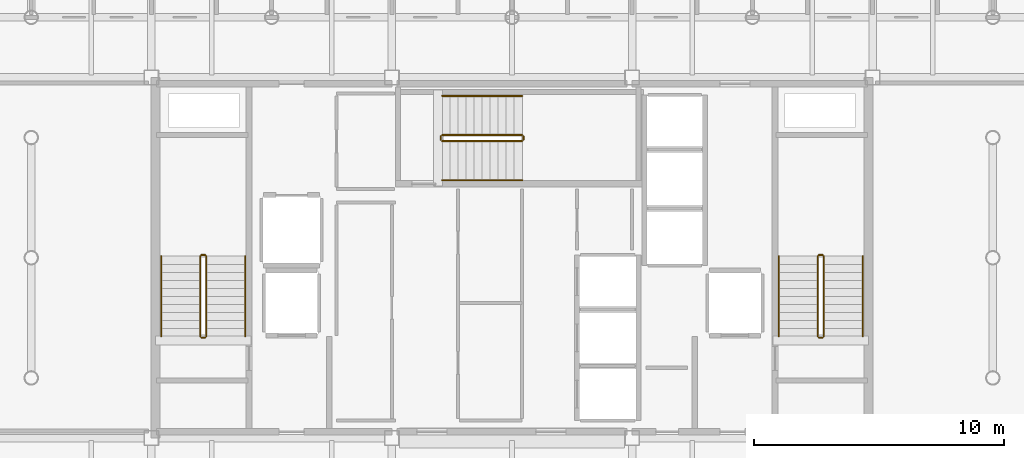
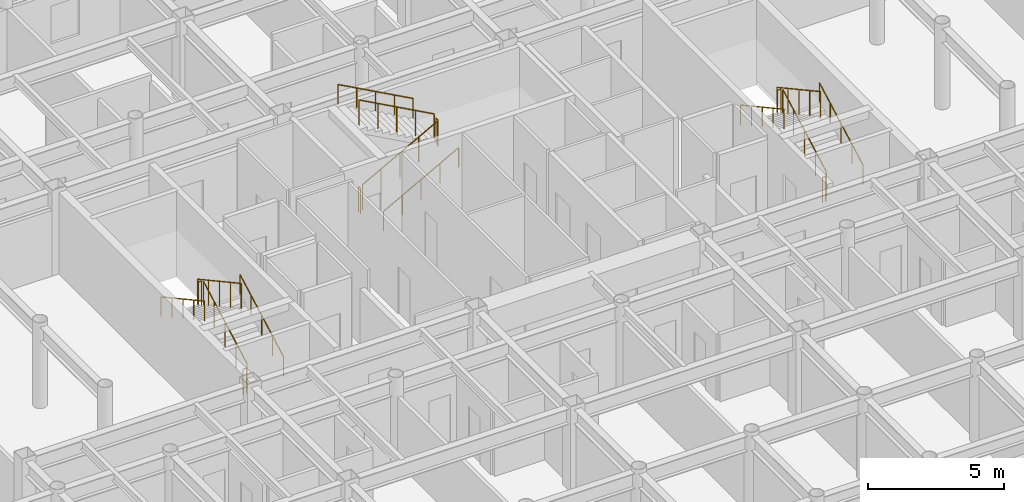
# One storey, part 22 of 23: 18 railings.
"""IFC4 building model written with IfcOpenShell, lengths in metres."""

from ifc_helpers import new_model, si_unit, direction, frame, origin, origin_2d, place, context, subcontext, project, spatial, circle, extrude, material, layer, layer_set, type_object, element, save


model = new_model("IFC4")

# Units and contexts
model_context = context("Model", 3, precision=1e-05, world=origin(), true_north=direction((0.0, 1.0)))
body_context = subcontext(model_context, "Body", "Model", "MODEL_VIEW")
ifc_project = project(units=[si_unit("LENGTHUNIT", "METRE"), si_unit("AREAUNIT", "SQUARE_METRE"), si_unit("VOLUMEUNIT", "CUBIC_METRE"), si_unit("PLANEANGLEUNIT", "RADIAN"), si_unit("MASSUNIT", "GRAM", prefix="KILO")], contexts=[model_context])

# Site, building, storey
site_placement = place(None, origin())
site = spatial("IfcSite", under=ifc_project, at=site_placement, CompositionType="ELEMENT")
building_placement = place(site_placement, origin())
building = spatial("IfcBuilding", under=site, at=building_placement, Name="Kallvorn Hotel Tower", CompositionType="ELEMENT")
storey_placement = place(building_placement, frame((0.0, 0.0, 195.35009765625)))
storey = spatial("IfcBuildingStorey", under=building, at=storey_placement, Name="L48", CompositionType="ELEMENT", Elevation=195.35009765625)

# Railings
ifc_material_1 = material(Name="Brushed stainless-steel tubular railing", Category="steel")
ifc_layer_1 = layer(ifc_material_1, 0.050048828125)
ifc_layer_set_1 = layer_set([ifc_layer_1], Name="RL_STAIR_GUARD")
railing_type_1 = type_object("IfcRailingType", Name="RL_STAIR_GUARD", PredefinedType="GUARDRAIL", material=ifc_layer_set_1)
railing_1_placement = place(storey_placement, frame((-12.2099609375, -3.139892578125, 0.1748046875)))
element("IfcRailing", 1, at=railing_1_placement, inside=storey, type_object=railing_type_1, Name="L48 ST1 stair guard 1", PredefinedType="GUARDRAIL", context=body_context, shape_type="SweptSolid", body=[
    extrude(circle(Radius=0.02392578125, at=origin_2d()), frame((0.0, 0.0, 1.1259765625), z_axis=(0.0, 0.877368057402, 0.479817977833), x_axis=(-1.0, 0.0, 0.0)), (0.0, 0.0, 1.0), 3.647216796875),
    extrude(circle(Radius=0.02099609375, at=origin_2d()), origin(), (0.0, 0.0, 1.0), 1.101806640625),
    extrude(circle(Radius=0.02099609375, at=origin_2d()), frame((0.0, 0.800048828125, 0.4375)), (0.0, 0.0, 1.0), 1.101806640625),
    extrude(circle(Radius=0.02099609375, at=origin_2d()), frame((0.0, 1.60009765625, 0.875)), (0.0, 0.0, 1.0), 1.101806640625),
    extrude(circle(Radius=0.02099609375, at=origin_2d()), frame((0.0, 2.39990234375, 1.3125)), (0.0, 0.0, 1.0), 1.101806640625),
    extrude(circle(Radius=0.02099609375, at=origin_2d()), frame((0.0, 3.199951171875, 1.75)), (0.0, 0.0, 1.0), 1.101806640625),
])
railing_2_placement = place(storey_placement, frame((-12.260009765625, 0.110107421875, 1.9248046875)))
element("IfcRailing", 2, at=railing_2_placement, inside=storey, type_object=railing_type_1, Name="L48 ST1 stair guard 2", PredefinedType="GUARDRAIL", context=body_context, shape_type="SweptSolid", body=[
    extrude(circle(Radius=0.02392578125, at=origin_2d()), frame((0.0, 0.0, 1.1259765625), z_axis=(-1.0, 0.0, 0.0), x_axis=(0.0, -1.0, 0.0)), (0.0, 0.0, 1.0), 0.139892578125),
    extrude(circle(Radius=0.02099609375, at=origin_2d()), origin(), (0.0, 0.0, 1.0), 1.101806640625),
    extrude(circle(Radius=0.02099609375, at=origin_2d()), frame((-0.139892578125, 0.0, 0.0)), (0.0, 0.0, 1.0), 1.101806640625),
])
railing_3_placement = place(storey_placement, frame((-12.449951171875, 0.06005859375, 2.099853515625)))
element("IfcRailing", 3, at=railing_3_placement, inside=storey, type_object=railing_type_1, Name="L48 ST1 stair guard 3", PredefinedType="GUARDRAIL", context=body_context, shape_type="SweptSolid", body=[
    extrude(circle(Radius=0.02392578125, at=origin_2d()), frame((0.0, 0.0, 1.1259765625), z_axis=(0.0, -0.877368057402, 0.479817977833), x_axis=(1.0, 0.0, 0.0)), (0.0, 0.0, 1.0), 3.647216796875),
    extrude(circle(Radius=0.02099609375, at=origin_2d()), origin(), (0.0, 0.0, 1.0), 1.101806640625),
    extrude(circle(Radius=0.02099609375, at=origin_2d()), frame((0.0, -0.800048828125, 0.4375)), (0.0, 0.0, 1.0), 1.101806640625),
    extrude(circle(Radius=0.02099609375, at=origin_2d()), frame((0.0, -1.60009765625, 0.875)), (0.0, 0.0, 1.0), 1.101806640625),
    extrude(circle(Radius=0.02099609375, at=origin_2d()), frame((0.0, -2.39990234375, 1.3125)), (0.0, 0.0, 1.0), 1.101806640625),
    extrude(circle(Radius=0.02099609375, at=origin_2d()), frame((0.0, -3.199951171875, 1.75)), (0.0, 0.0, 1.0), 1.101806640625),
])
railing_4_placement = place(storey_placement, frame((-12.260009765625, -3.18994140625, 0.0)))
element("IfcRailing", 4, at=railing_4_placement, inside=storey, type_object=railing_type_1, Name="L48 ST1 stair guard 4", PredefinedType="GUARDRAIL", context=body_context, shape_type="SweptSolid", body=[
    extrude(circle(Radius=0.02392578125, at=origin_2d()), frame((0.0, 0.0, 1.1259765625), z_axis=(-1.0, 0.0, 0.0), x_axis=(0.0, -1.0, 0.0)), (0.0, 0.0, 1.0), 0.139892578125),
    extrude(circle(Radius=0.02099609375, at=origin_2d()), origin(), (0.0, 0.0, 1.0), 1.101806640625),
    extrude(circle(Radius=0.02099609375, at=origin_2d()), frame((-0.139892578125, 0.0, 0.0)), (0.0, 0.0, 1.0), 1.101806640625),
])
railing_5_placement = place(storey_placement, frame((12.449951171875, -3.139892578125, 0.1748046875)))
element("IfcRailing", 5, at=railing_5_placement, inside=storey, type_object=railing_type_1, Name="L48 ST2 stair guard 1", PredefinedType="GUARDRAIL", context=body_context, shape_type="SweptSolid", body=[
    extrude(circle(Radius=0.02392578125, at=origin_2d()), frame((0.0, 0.0, 1.1259765625), z_axis=(0.0, 0.877368057402, 0.479817977833), x_axis=(-1.0, 0.0, 0.0)), (0.0, 0.0, 1.0), 3.647216796875),
    extrude(circle(Radius=0.02099609375, at=origin_2d()), origin(), (0.0, 0.0, 1.0), 1.101806640625),
    extrude(circle(Radius=0.02099609375, at=origin_2d()), frame((0.0, 0.800048828125, 0.4375)), (0.0, 0.0, 1.0), 1.101806640625),
    extrude(circle(Radius=0.02099609375, at=origin_2d()), frame((0.0, 1.60009765625, 0.875)), (0.0, 0.0, 1.0), 1.101806640625),
    extrude(circle(Radius=0.02099609375, at=origin_2d()), frame((0.0, 2.39990234375, 1.3125)), (0.0, 0.0, 1.0), 1.101806640625),
    extrude(circle(Radius=0.02099609375, at=origin_2d()), frame((0.0, 3.199951171875, 1.75)), (0.0, 0.0, 1.0), 1.101806640625),
])
railing_6_placement = place(storey_placement, frame((12.39990234375, 0.110107421875, 1.9248046875)))
element("IfcRailing", 6, at=railing_6_placement, inside=storey, type_object=railing_type_1, Name="L48 ST2 stair guard 2", PredefinedType="GUARDRAIL", context=body_context, shape_type="SweptSolid", body=[
    extrude(circle(Radius=0.02392578125, at=origin_2d()), frame((0.0, 0.0, 1.1259765625), z_axis=(-1.0, 0.0, 0.0), x_axis=(0.0, -1.0, 0.0)), (0.0, 0.0, 1.0), 0.139892578125),
    extrude(circle(Radius=0.02099609375, at=origin_2d()), origin(), (0.0, 0.0, 1.0), 1.101806640625),
    extrude(circle(Radius=0.02099609375, at=origin_2d()), frame((-0.139892578125, 0.0, 0.0)), (0.0, 0.0, 1.0), 1.101806640625),
])
railing_7_placement = place(storey_placement, frame((12.2099609375, 0.06005859375, 2.099853515625)))
element("IfcRailing", 7, at=railing_7_placement, inside=storey, type_object=railing_type_1, Name="L48 ST2 stair guard 3", PredefinedType="GUARDRAIL", context=body_context, shape_type="SweptSolid", body=[
    extrude(circle(Radius=0.02392578125, at=origin_2d()), frame((0.0, 0.0, 1.1259765625), z_axis=(0.0, -0.877368057402, 0.479817977833), x_axis=(1.0, 0.0, 0.0)), (0.0, 0.0, 1.0), 3.647216796875),
    extrude(circle(Radius=0.02099609375, at=origin_2d()), origin(), (0.0, 0.0, 1.0), 1.101806640625),
    extrude(circle(Radius=0.02099609375, at=origin_2d()), frame((0.0, -0.800048828125, 0.4375)), (0.0, 0.0, 1.0), 1.101806640625),
    extrude(circle(Radius=0.02099609375, at=origin_2d()), frame((0.0, -1.60009765625, 0.875)), (0.0, 0.0, 1.0), 1.101806640625),
    extrude(circle(Radius=0.02099609375, at=origin_2d()), frame((0.0, -2.39990234375, 1.3125)), (0.0, 0.0, 1.0), 1.101806640625),
    extrude(circle(Radius=0.02099609375, at=origin_2d()), frame((0.0, -3.199951171875, 1.75)), (0.0, 0.0, 1.0), 1.101806640625),
])
railing_8_placement = place(storey_placement, frame((12.39990234375, -3.18994140625, 0.0)))
element("IfcRailing", 8, at=railing_8_placement, inside=storey, type_object=railing_type_1, Name="L48 ST2 stair guard 4", PredefinedType="GUARDRAIL", context=body_context, shape_type="SweptSolid", body=[
    extrude(circle(Radius=0.02392578125, at=origin_2d()), frame((0.0, 0.0, 1.1259765625), z_axis=(-1.0, 0.0, 0.0), x_axis=(0.0, -1.0, 0.0)), (0.0, 0.0, 1.0), 0.139892578125),
    extrude(circle(Radius=0.02099609375, at=origin_2d()), origin(), (0.0, 0.0, 1.0), 1.101806640625),
    extrude(circle(Radius=0.02099609375, at=origin_2d()), frame((-0.139892578125, 0.0, 0.0)), (0.0, 0.0, 1.0), 1.101806640625),
])
railing_9_placement = place(storey_placement, frame((-2.7900390625, 4.659912109375, 0.1748046875)))
element("IfcRailing", 9, at=railing_9_placement, inside=storey, type_object=railing_type_1, Name="L48 ST3 stair guard 1", PredefinedType="GUARDRAIL", context=body_context, shape_type="SweptSolid", body=[
    extrude(circle(Radius=0.02392578125, at=origin_2d()), frame((0.0, 0.0, 1.1259765625), z_axis=(0.877368057402, 0.0, 0.479817977833), x_axis=(0.0, 1.0, 0.0)), (0.0, 0.0, 1.0), 3.647216796875),
    extrude(circle(Radius=0.02099609375, at=origin_2d()), origin(), (0.0, 0.0, 1.0), 1.101806640625),
    extrude(circle(Radius=0.02099609375, at=origin_2d()), frame((0.800048828125, 0.0, 0.4375)), (0.0, 0.0, 1.0), 1.101806640625),
    extrude(circle(Radius=0.02099609375, at=origin_2d()), frame((1.60009765625, 0.0, 0.875)), (0.0, 0.0, 1.0), 1.101806640625),
    extrude(circle(Radius=0.02099609375, at=origin_2d()), frame((2.39990234375, 0.0, 1.3125)), (0.0, 0.0, 1.0), 1.101806640625),
    extrude(circle(Radius=0.02099609375, at=origin_2d()), frame((3.199951171875, 0.0, 1.75)), (0.0, 0.0, 1.0), 1.101806640625),
])
railing_10_placement = place(storey_placement, frame((0.4599609375, 4.7099609375, 1.9248046875)))
element("IfcRailing", 10, at=railing_10_placement, inside=storey, type_object=railing_type_1, Name="L48 ST3 stair guard 2", PredefinedType="GUARDRAIL", context=body_context, shape_type="SweptSolid", body=[
    extrude(circle(Radius=0.02392578125, at=origin_2d()), frame((0.0, 0.0, 1.1259765625), z_axis=(0.0, 1.0, 0.0), x_axis=(-1.0, 0.0, 0.0)), (0.0, 0.0, 1.0), 0.14013671875),
    extrude(circle(Radius=0.02099609375, at=origin_2d()), origin(), (0.0, 0.0, 1.0), 1.101806640625),
    extrude(circle(Radius=0.02099609375, at=origin_2d()), frame((0.0, 0.14013671875, 0.0)), (0.0, 0.0, 1.0), 1.101806640625),
])
railing_11_placement = place(storey_placement, frame((0.409912109375, 4.89990234375, 2.099853515625)))
element("IfcRailing", 11, at=railing_11_placement, inside=storey, type_object=railing_type_1, Name="L48 ST3 stair guard 3", PredefinedType="GUARDRAIL", context=body_context, shape_type="SweptSolid", body=[
    extrude(circle(Radius=0.02392578125, at=origin_2d()), frame((0.0, 0.0, 1.1259765625), z_axis=(-0.877368057402, 0.0, 0.479817977833), x_axis=(0.0, -1.0, 0.0)), (0.0, 0.0, 1.0), 3.647216796875),
    extrude(circle(Radius=0.02099609375, at=origin_2d()), origin(), (0.0, 0.0, 1.0), 1.101806640625),
    extrude(circle(Radius=0.02099609375, at=origin_2d()), frame((-0.800048828125, 0.0, 0.4375)), (0.0, 0.0, 1.0), 1.101806640625),
    extrude(circle(Radius=0.02099609375, at=origin_2d()), frame((-1.60009765625, 0.0, 0.875)), (0.0, 0.0, 1.0), 1.101806640625),
    extrude(circle(Radius=0.02099609375, at=origin_2d()), frame((-2.39990234375, 0.0, 1.3125)), (0.0, 0.0, 1.0), 1.101806640625),
    extrude(circle(Radius=0.02099609375, at=origin_2d()), frame((-3.199951171875, 0.0, 1.75)), (0.0, 0.0, 1.0), 1.101806640625),
])
railing_12_placement = place(storey_placement, frame((-2.840087890625, 4.7099609375, 0.0)))
element("IfcRailing", 12, at=railing_12_placement, inside=storey, type_object=railing_type_1, Name="L48 ST3 stair guard 4", PredefinedType="GUARDRAIL", context=body_context, shape_type="SweptSolid", body=[
    extrude(circle(Radius=0.02392578125, at=origin_2d()), frame((0.0, 0.0, 1.1259765625), z_axis=(0.0, 1.0, 0.0), x_axis=(-1.0, 0.0, 0.0)), (0.0, 0.0, 1.0), 0.14013671875),
    extrude(circle(Radius=0.02099609375, at=origin_2d()), origin(), (0.0, 0.0, 1.0), 1.101806640625),
    extrude(circle(Radius=0.02099609375, at=origin_2d()), frame((0.0, 0.14013671875, 0.0)), (0.0, 0.0, 1.0), 1.101806640625),
])
ifc_material_2 = material(Name="Brushed stainless-steel tubular railing", Category="steel")
ifc_layer_2 = layer(ifc_material_2, 0.050048828125)
ifc_layer_set_2 = layer_set([ifc_layer_2], Name="RL_STAIR_HAND")
railing_type_2 = type_object("IfcRailingType", Name="RL_STAIR_HAND", PredefinedType="HANDRAIL", material=ifc_layer_set_2)
railing_13_placement = place(storey_placement, frame((-10.64990234375, -3.139892578125, 0.1748046875)))
element("IfcRailing", 13, at=railing_13_placement, inside=storey, type_object=railing_type_2, Name="L48 ST1 stair handrail 1", PredefinedType="HANDRAIL", context=body_context, shape_type="SweptSolid", body=[
    extrude(circle(Radius=0.02392578125, at=origin_2d()), frame((0.0, 0.0, 0.8759765625), z_axis=(0.0, 0.877368057402, 0.479817977833), x_axis=(-1.0, 0.0, 0.0)), (0.0, 0.0, 1.0), 3.647216796875),
    extrude(circle(Radius=0.02099609375, at=origin_2d()), origin(), (0.0, 0.0, 1.0), 0.851806640625),
    extrude(circle(Radius=0.02099609375, at=origin_2d()), frame((0.0, 0.800048828125, 0.4375)), (0.0, 0.0, 1.0), 0.851806640625),
    extrude(circle(Radius=0.02099609375, at=origin_2d()), frame((0.0, 1.60009765625, 0.875)), (0.0, 0.0, 1.0), 0.851806640625),
    extrude(circle(Radius=0.02099609375, at=origin_2d()), frame((0.0, 2.39990234375, 1.3125)), (0.0, 0.0, 1.0), 0.851806640625),
    extrude(circle(Radius=0.02099609375, at=origin_2d()), frame((0.0, 3.199951171875, 1.75)), (0.0, 0.0, 1.0), 0.851806640625),
])
railing_14_placement = place(storey_placement, frame((-14.010009765625, 0.06005859375, 2.099853515625)))
element("IfcRailing", 14, at=railing_14_placement, inside=storey, type_object=railing_type_2, Name="L48 ST1 stair handrail 2", PredefinedType="HANDRAIL", context=body_context, shape_type="SweptSolid", body=[
    extrude(circle(Radius=0.02392578125, at=origin_2d()), frame((0.0, 0.0, 0.8759765625), z_axis=(0.0, -0.877368057402, 0.479817977833), x_axis=(1.0, 0.0, 0.0)), (0.0, 0.0, 1.0), 3.647216796875),
    extrude(circle(Radius=0.02099609375, at=origin_2d()), origin(), (0.0, 0.0, 1.0), 0.851806640625),
    extrude(circle(Radius=0.02099609375, at=origin_2d()), frame((0.0, -0.800048828125, 0.4375)), (0.0, 0.0, 1.0), 0.851806640625),
    extrude(circle(Radius=0.02099609375, at=origin_2d()), frame((0.0, -1.60009765625, 0.875)), (0.0, 0.0, 1.0), 0.851806640625),
    extrude(circle(Radius=0.02099609375, at=origin_2d()), frame((0.0, -2.39990234375, 1.3125)), (0.0, 0.0, 1.0), 0.851806640625),
    extrude(circle(Radius=0.02099609375, at=origin_2d()), frame((0.0, -3.199951171875, 1.75)), (0.0, 0.0, 1.0), 0.851806640625),
])
railing_15_placement = place(storey_placement, frame((14.010009765625, -3.139892578125, 0.1748046875)))
element("IfcRailing", 15, at=railing_15_placement, inside=storey, type_object=railing_type_2, Name="L48 ST2 stair handrail 1", PredefinedType="HANDRAIL", context=body_context, shape_type="SweptSolid", body=[
    extrude(circle(Radius=0.02392578125, at=origin_2d()), frame((0.0, 0.0, 0.8759765625), z_axis=(0.0, 0.877368057402, 0.479817977833), x_axis=(-1.0, 0.0, 0.0)), (0.0, 0.0, 1.0), 3.647216796875),
    extrude(circle(Radius=0.02099609375, at=origin_2d()), origin(), (0.0, 0.0, 1.0), 0.851806640625),
    extrude(circle(Radius=0.02099609375, at=origin_2d()), frame((0.0, 0.800048828125, 0.4375)), (0.0, 0.0, 1.0), 0.851806640625),
    extrude(circle(Radius=0.02099609375, at=origin_2d()), frame((0.0, 1.60009765625, 0.875)), (0.0, 0.0, 1.0), 0.851806640625),
    extrude(circle(Radius=0.02099609375, at=origin_2d()), frame((0.0, 2.39990234375, 1.3125)), (0.0, 0.0, 1.0), 0.851806640625),
    extrude(circle(Radius=0.02099609375, at=origin_2d()), frame((0.0, 3.199951171875, 1.75)), (0.0, 0.0, 1.0), 0.851806640625),
])
railing_16_placement = place(storey_placement, frame((10.64990234375, 0.06005859375, 2.099853515625)))
element("IfcRailing", 16, at=railing_16_placement, inside=storey, type_object=railing_type_2, Name="L48 ST2 stair handrail 2", PredefinedType="HANDRAIL", context=body_context, shape_type="SweptSolid", body=[
    extrude(circle(Radius=0.02392578125, at=origin_2d()), frame((0.0, 0.0, 0.8759765625), z_axis=(0.0, -0.877368057402, 0.479817977833), x_axis=(1.0, 0.0, 0.0)), (0.0, 0.0, 1.0), 3.647216796875),
    extrude(circle(Radius=0.02099609375, at=origin_2d()), origin(), (0.0, 0.0, 1.0), 0.851806640625),
    extrude(circle(Radius=0.02099609375, at=origin_2d()), frame((0.0, -0.800048828125, 0.4375)), (0.0, 0.0, 1.0), 0.851806640625),
    extrude(circle(Radius=0.02099609375, at=origin_2d()), frame((0.0, -1.60009765625, 0.875)), (0.0, 0.0, 1.0), 0.851806640625),
    extrude(circle(Radius=0.02099609375, at=origin_2d()), frame((0.0, -2.39990234375, 1.3125)), (0.0, 0.0, 1.0), 0.851806640625),
    extrude(circle(Radius=0.02099609375, at=origin_2d()), frame((0.0, -3.199951171875, 1.75)), (0.0, 0.0, 1.0), 0.851806640625),
])
railing_17_placement = place(storey_placement, frame((-2.7900390625, 3.10009765625, 0.1748046875)))
element("IfcRailing", 17, at=railing_17_placement, inside=storey, type_object=railing_type_2, Name="L48 ST3 stair handrail 1", PredefinedType="HANDRAIL", context=body_context, shape_type="SweptSolid", body=[
    extrude(circle(Radius=0.02392578125, at=origin_2d()), frame((0.0, 0.0, 0.8759765625), z_axis=(0.877368057402, 0.0, 0.479817977833), x_axis=(0.0, 1.0, 0.0)), (0.0, 0.0, 1.0), 3.647216796875),
    extrude(circle(Radius=0.02099609375, at=origin_2d()), origin(), (0.0, 0.0, 1.0), 0.851806640625),
    extrude(circle(Radius=0.02099609375, at=origin_2d()), frame((0.800048828125, 0.0, 0.4375)), (0.0, 0.0, 1.0), 0.851806640625),
    extrude(circle(Radius=0.02099609375, at=origin_2d()), frame((1.60009765625, 0.0, 0.875)), (0.0, 0.0, 1.0), 0.851806640625),
    extrude(circle(Radius=0.02099609375, at=origin_2d()), frame((2.39990234375, 0.0, 1.3125)), (0.0, 0.0, 1.0), 0.851806640625),
    extrude(circle(Radius=0.02099609375, at=origin_2d()), frame((3.199951171875, 0.0, 1.75)), (0.0, 0.0, 1.0), 0.851806640625),
])
railing_18_placement = place(storey_placement, frame((0.409912109375, 6.4599609375, 2.099853515625)))
element("IfcRailing", 18, at=railing_18_placement, inside=storey, type_object=railing_type_2, Name="L48 ST3 stair handrail 2", PredefinedType="HANDRAIL", context=body_context, shape_type="SweptSolid", body=[
    extrude(circle(Radius=0.02392578125, at=origin_2d()), frame((0.0, 0.0, 0.8759765625), z_axis=(-0.877368057402, 0.0, 0.479817977833), x_axis=(0.0, -1.0, 0.0)), (0.0, 0.0, 1.0), 3.647216796875),
    extrude(circle(Radius=0.02099609375, at=origin_2d()), origin(), (0.0, 0.0, 1.0), 0.851806640625),
    extrude(circle(Radius=0.02099609375, at=origin_2d()), frame((-0.800048828125, 0.0, 0.4375)), (0.0, 0.0, 1.0), 0.851806640625),
    extrude(circle(Radius=0.02099609375, at=origin_2d()), frame((-1.60009765625, 0.0, 0.875)), (0.0, 0.0, 1.0), 0.851806640625),
    extrude(circle(Radius=0.02099609375, at=origin_2d()), frame((-2.39990234375, 0.0, 1.3125)), (0.0, 0.0, 1.0), 0.851806640625),
    extrude(circle(Radius=0.02099609375, at=origin_2d()), frame((-3.199951171875, 0.0, 1.75)), (0.0, 0.0, 1.0), 0.851806640625),
])

save(model, "model.ifc")
